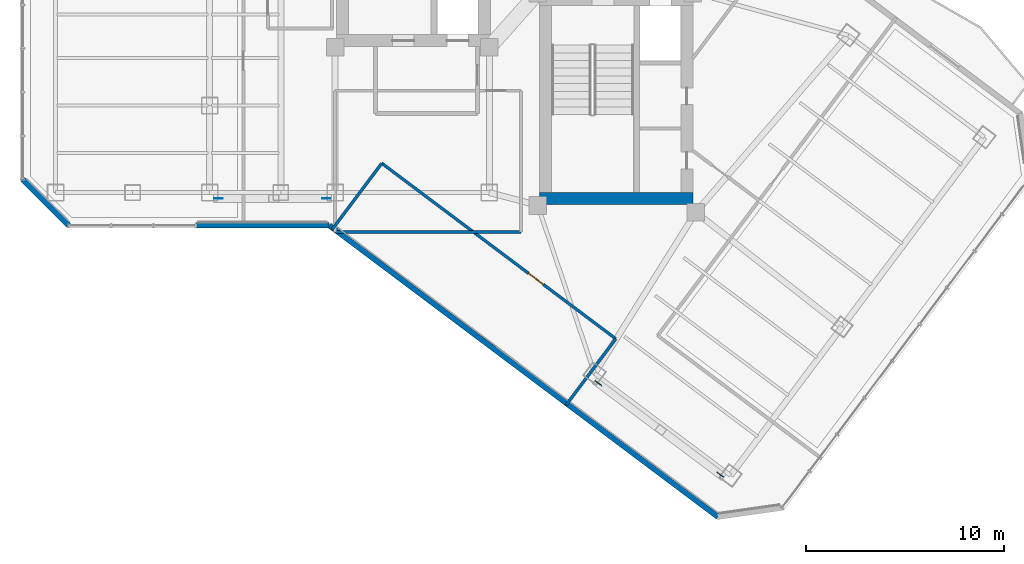
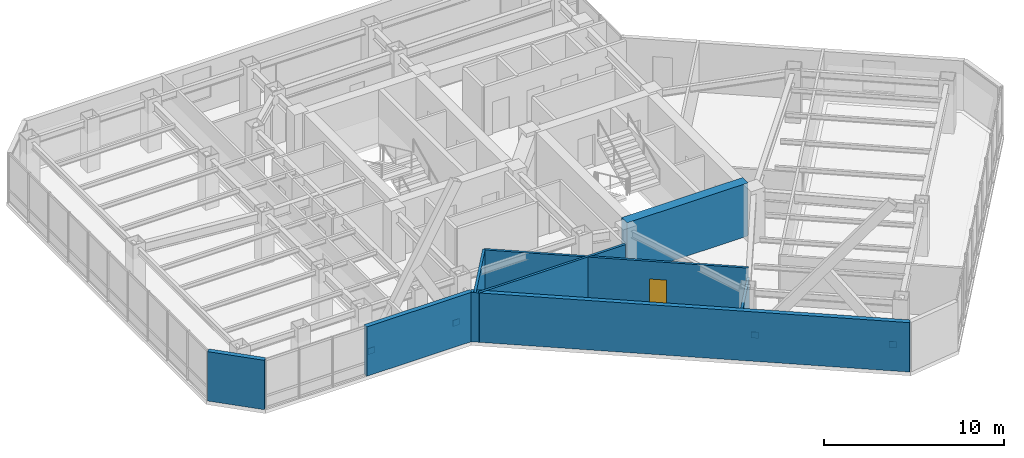
# One storey, part 21 of 26: 8 walls, 4 plates, 1 door, 1 opening.
"""IFC4 building model written with IfcOpenShell, lengths in metres."""

from ifc_helpers import new_model, si_unit, direction, frame, frame_2d, origin, origin_2d, place, context, subcontext, project, spatial, rectangle, extrude, material, layer, layer_set, type_object, element, fill, save


model = new_model("IFC4")

# Units and contexts
model_context = context("Model", 3, precision=1e-05, world=origin(), true_north=direction((0.0, 1.0)))
body_context = subcontext(model_context, "Body", "Model", "MODEL_VIEW")
ifc_project = project(units=[si_unit("LENGTHUNIT", "METRE"), si_unit("AREAUNIT", "SQUARE_METRE"), si_unit("VOLUMEUNIT", "CUBIC_METRE"), si_unit("PLANEANGLEUNIT", "RADIAN"), si_unit("MASSUNIT", "GRAM", prefix="KILO")], contexts=[model_context])

# Site, building, storey
site_placement = place(None, origin())
site = spatial("IfcSite", under=ifc_project, at=site_placement, CompositionType="ELEMENT")
building_placement = place(site_placement, origin())
building = spatial("IfcBuilding", under=site, at=building_placement, Name="Hatsunagi Terrace Concourse", CompositionType="ELEMENT")
storey_placement = place(building_placement, frame((0.0, 0.0, 134.85009765625)))
storey = spatial("IfcBuildingStorey", under=building, at=storey_placement, Name="L35", CompositionType="ELEMENT", Elevation=134.85009765625)

# Plates
ifc_material_1 = material(Name="Steel SN490C", Category="steel")
ifc_layer_1 = layer(ifc_material_1, 0.031982421875)
ifc_layer_set_1 = layer_set([ifc_layer_1], Name="XBraceNodeCapPlate_32")
plate_type = type_object("IfcPlateType", Name="XBraceNodeCapPlate_32", PredefinedType="USERDEFINED", material=ifc_layer_set_1)
for number, where, z_axis, x_axis, name in (
    (1, (19.64990234375, 24.89990234375, 0.22998046875), (0.0, 0.0, 1.0), (1.0, 0.0, 0.0), "Cast-In Core and Node Embed Plate GP-02 EP-XB-L35-W1-AB"),
    (2, (25.10009765625, 24.89990234375, 0.22998046875), (0.0, 0.0, 1.0), (1.0, 0.0, 0.0), "Cast-In Core and Node Embed Plate GP-02 EP-XB-L35-W1-BB"),
    (3, (38.8720703125, 15.5458984375, 0.22998046875), (0.0, 0.0, 1.0), (0.799999996291, -0.600000004945, 0.0), "Cast-In Core and Node Embed Plate GP-02 EP-XB-L35-SE-AB"),
    (4, (45.031982421875, 10.926025390625, 0.22998046875), (0.0, 0.0, 1.0), (0.799999996291, -0.600000004945, 0.0), "Cast-In Core and Node Embed Plate GP-02 EP-XB-L35-SE-BB"),
):
    element("IfcPlate", number, at=place(storey_placement, frame(where, z_axis=z_axis, x_axis=x_axis)), inside=storey, type_object=plate_type, Name=name, ObjectType="GUSSET_PLATE", PredefinedType="USERDEFINED", context=body_context, shape_type="SweptSolid", body=[
        extrude(rectangle(XDim=0.419921875, YDim=0.031982421875, at=origin_2d()), origin(), (0.0, 0.0, 1.0), 0.419921875),
    ])

# Walls
ifc_material_2 = material(Name="Concrete Fc48", Category="concrete")
ifc_layer_2 = layer(ifc_material_2, 0.60009765625)
ifc_layer_set_2 = layer_set([ifc_layer_2], Name="CoreShearWall_Fc48_600")
wall_type_1 = type_object("IfcWallType", Name="CoreShearWall_Fc48_600", PredefinedType="SHEAR", material=ifc_layer_set_2)
wall_1_placement = place(storey_placement, frame((35.889892578125, 24.889892578125, 0.0), z_axis=(0.0, 0.0, 1.0), x_axis=(1.0, 0.0, 0.0)))
element("IfcWall", 5, at=wall_1_placement, inside=storey, type_object=wall_type_1, Name="Core B Shear Wall S L35", PredefinedType="SHEAR", context=body_context, shape_type="SweptSolid", body=[
    extrude(rectangle(XDim=7.760009765625, YDim=0.60009765625, at=frame_2d((3.8798828125, 0.0))), origin(), (0.0, 0.0, 1.0), 3.599853515625),
])
ifc_material_3 = material(Name="Acoustic mineral board", Category="gypsum")
ifc_layer_3 = layer(ifc_material_3, 0.14990234375)
ifc_layer_set_3 = layer_set([ifc_layer_3], Name="PartitionWall_EI60_150")
wall_type_2 = type_object("IfcWallType", Name="PartitionWall_EI60_150", PredefinedType="PARTITIONING", material=ifc_layer_set_3)
wall_2_placement = place(storey_placement, frame((25.550048828125, 23.199951171875, 0.0), z_axis=(0.0, 0.0, 1.0), x_axis=(1.0, 0.0, 0.0)))
element("IfcWall", 6, at=wall_2_placement, inside=storey, type_object=wall_type_2, Name="Interior Partition IW-L35-025", PredefinedType="PARTITIONING", context=body_context, shape_type="SweptSolid", body=[
    extrude(rectangle(XDim=9.39990234375, YDim=0.14990234375, at=frame_2d((4.699951171875, 0.0))), origin(), (0.0, 0.0, 1.0), 3.349853515625),
])

# Wall, opening, door
wall_3_placement = place(storey_placement, frame((27.909912109375, 26.679931640625, 0.0), z_axis=(0.0, 0.0, 1.0), x_axis=(0.800005938517, -0.599992081896, 0.0)))
wall_3 = element("IfcWall", 7, at=wall_3_placement, inside=storey, type_object=wall_type_2, Name="Interior Partition IW-L35-035", PredefinedType="PARTITIONING", context=body_context, shape_type="SweptSolid", body=[
    extrude(rectangle(XDim=14.800048828125, YDim=0.14990234375, at=frame_2d((7.39990234375, 0.0))), origin(), (0.0, 0.0, 1.0), 3.349853515625),
])
opening_placement = place(wall_3_placement, frame((9.281005859375, 0.0, 0.0)))
opening = element("IfcOpeningElement", 8, at=opening_placement, cuts=wall_3, Name="Opening DR-095", PredefinedType="OPENING", context=body_context, shape_type="SweptSolid", body=[
    extrude(rectangle(XDim=0.949951171875, YDim=2.14990234375, at=frame_2d((0.47509765625, 1.074951171875))), frame((0.0, 0.0849609375, 0.0), z_axis=(0.0, -1.0, 0.0), x_axis=(1.0, 0.0, 0.0)), (0.0, 0.0, 1.0), 0.169921875),
])
ifc_material_4 = material(Name="Hardwood timber", Category="wood")
door_type = type_object("IfcDoorType", Name="InteriorSuiteDoor_EI30_950", OperationType="NOTDEFINED", PredefinedType="DOOR", material=ifc_material_4)
door_placement = place(opening_placement, origin())
door = element("IfcDoor", 9, at=door_placement, inside=storey, type_object=door_type, Name="Research Focus Suite L35-OSWS Door", OperationType="SINGLE_SWING_RIGHT", OverallHeight=2.14990234375, OverallWidth=0.949951171875, PredefinedType="DOOR", context=body_context, shape_type="SweptSolid", body=[
    extrude(rectangle(XDim=0.949951171875, YDim=2.14990234375, at=frame_2d((0.47509765625, 1.074951171875))), frame((0.0, 0.02490234375, 0.0), z_axis=(0.0, -1.0, 0.0), x_axis=(1.0, 0.0, 0.0)), (0.0, 0.0, 1.0), 0.050048828125),
])
fill(opening, door)

# Walls
wall_4_placement = place(storey_placement, frame((25.384033203125, 23.31201171875, 0.0), z_axis=(0.0, 0.0, 1.0), x_axis=(0.599990721155, 0.80000695905, 0.0)))
element("IfcWall", 10, at=wall_4_placement, inside=storey, type_object=wall_type_2, Name="Interior Partition IW-L35-036", PredefinedType="PARTITIONING", context=body_context, shape_type="SweptSolid", body=[
    extrude(rectangle(XDim=4.2099609375, YDim=0.14990234375, at=frame_2d((2.10498046875, 0.0))), origin(), (0.0, 0.0, 1.0), 3.349853515625),
])
wall_5_placement = place(storey_placement, frame((37.22412109375, 14.431884765625, 0.0), z_axis=(0.0, 0.0, 1.0), x_axis=(0.599962885857, 0.800027834262, 0.0)))
element("IfcWall", 11, at=wall_5_placement, inside=storey, type_object=wall_type_2, Name="Interior Partition IW-L35-037", PredefinedType="PARTITIONING", context=body_context, shape_type="SweptSolid", body=[
    extrude(rectangle(XDim=4.2099609375, YDim=0.14990234375, at=frame_2d((2.10498046875, 0.0))), origin(), (0.0, 0.0, 1.0), 2.69482421875),
])
ifc_material_5 = material(Name="Autoclaved Lightweight Concrete and Terracotta Cladding", Category="masonry")
ifc_layer_4 = layer(ifc_material_5, 0.280029296875)
ifc_layer_set_4 = layer_set([ifc_layer_4], Name="TerracottaSpandrelWall_280")
wall_type_3 = type_object("IfcWallType", Name="TerracottaSpandrelWall_280", PredefinedType="STANDARD", material=ifc_layer_set_4)
wall_6_placement = place(storey_placement, frame((44.91796875, 8.787109375, 0.0), z_axis=(0.0, 0.0, 1.0), x_axis=(-0.800004765927, 0.599993645378, 0.0)))
element("IfcWall", 12, at=wall_6_placement, inside=storey, type_object=wall_type_3, Name="Exterior Spandrel Wall EW-L35-05", PredefinedType="STANDARD", context=body_context, shape_type="SweptSolid", body=[
    extrude(rectangle(XDim=24.58837890625, YDim=0.280029296875, at=frame_2d((12.294189453125, 0.0))), origin(), (0.0, 0.0, 1.0), 3.349853515625),
])
wall_7_placement = place(storey_placement, frame((25.2470703125, 23.5400390625, 0.0), z_axis=(0.0, 0.0, 1.0), x_axis=(-1.0, 0.0, 0.0)))
element("IfcWall", 13, at=wall_7_placement, inside=storey, type_object=wall_type_3, Name="Exterior Spandrel Wall EW-L35-06", PredefinedType="STANDARD", context=body_context, shape_type="SweptSolid", body=[
    extrude(rectangle(XDim=6.7470703125, YDim=0.280029296875, at=frame_2d((3.37353515625, 0.0))), origin(), (0.0, 0.0, 1.0), 3.349853515625),
])
wall_8_placement = place(storey_placement, frame((12.05810546875, 23.5400390625, 0.0), z_axis=(0.0, 0.0, 1.0), x_axis=(-0.707144017911, 0.707069542501, 0.0)))
element("IfcWall", 14, at=wall_8_placement, inside=storey, type_object=wall_type_3, Name="Exterior Spandrel Wall EW-L35-08", PredefinedType="STANDARD", context=body_context, shape_type="SweptSolid", body=[
    extrude(rectangle(XDim=3.278076171875, YDim=0.280029296875, at=frame_2d((1.63916015625, 0.0))), origin(), (0.0, 0.0, 1.0), 3.349853515625),
])

save(model, "model.ifc")
